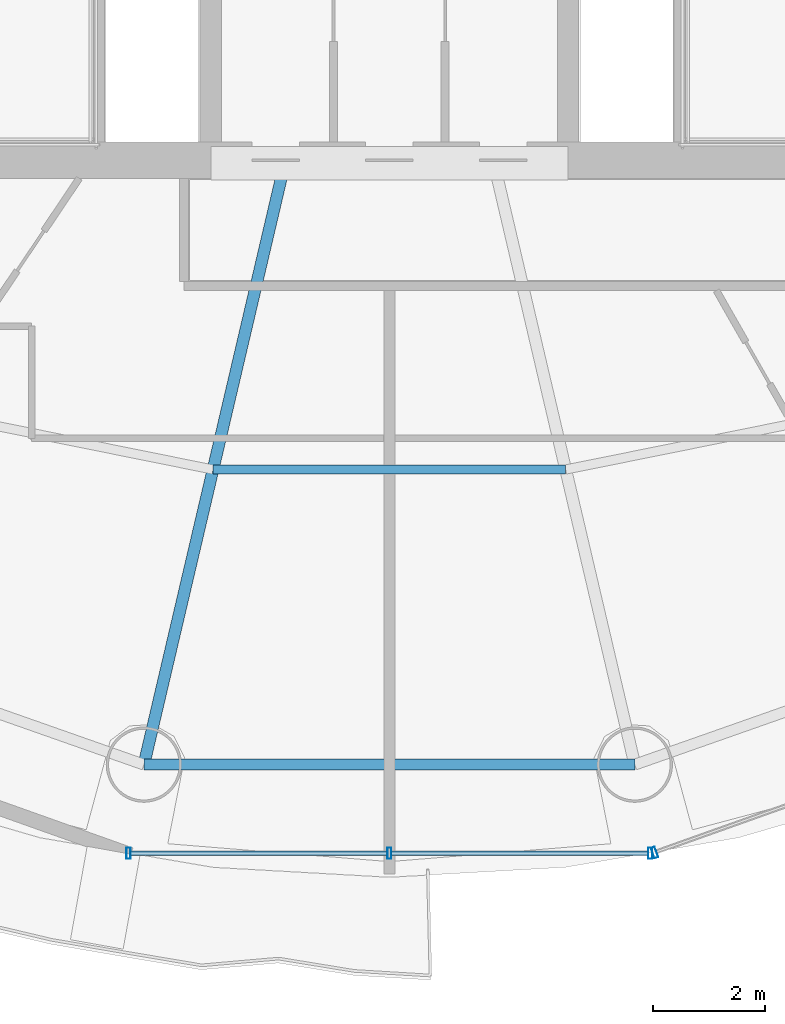
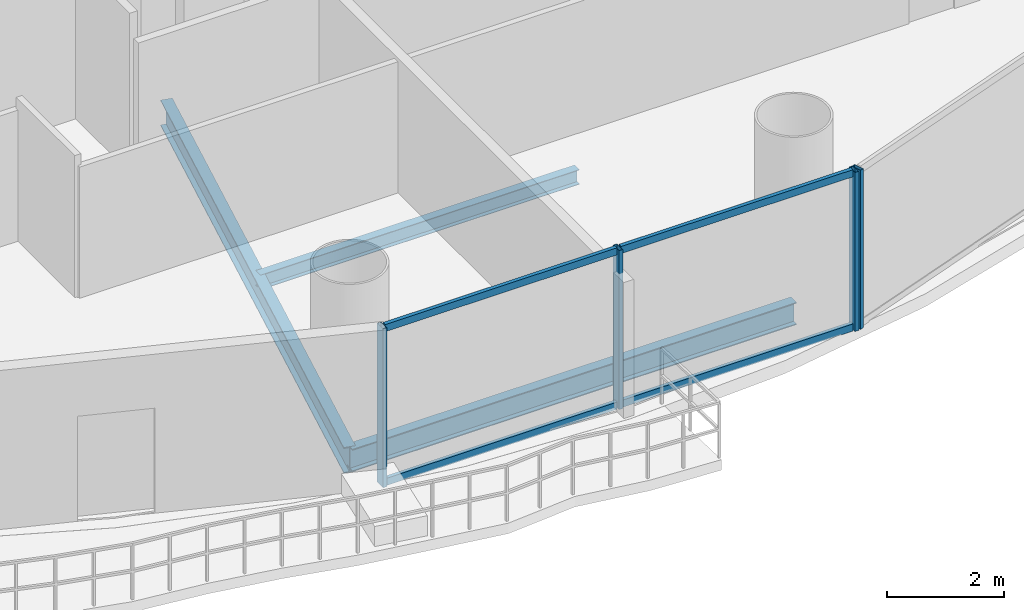
# One storey, part 4 of 26: 8 members, 3 beams, 2 elements without a shape of their own.
"""IFC4 building model written with IfcOpenShell, lengths in metres."""

from ifc_helpers import new_model, si_unit, direction, frame, origin, origin_2d, place, context, subcontext, project, spatial, hollow_rectangle, i_section, extrude, source, transform, mapped, material, material_profile, profile_set, type_object, element, aggregate, save


model = new_model("IFC4")

# Units and contexts
model_context = context("Model", 3, precision=1e-05, world=origin(), true_north=direction((-0.2419218956, 0.970295726276)))
body_context = subcontext(model_context, "Body", "Model", "MODEL_VIEW")
ifc_project = project(units=[si_unit("LENGTHUNIT", "METRE"), si_unit("AREAUNIT", "SQUARE_METRE"), si_unit("VOLUMEUNIT", "CUBIC_METRE"), si_unit("PLANEANGLEUNIT", "RADIAN"), si_unit("MASSUNIT", "GRAM", prefix="KILO")], contexts=[model_context])

# Site, building, storey
site_placement = place(None, origin())
site = spatial("IfcSite", under=ifc_project, at=site_placement, CompositionType="ELEMENT")
building_placement = place(site_placement, origin())
building = spatial("IfcBuilding", under=site, at=building_placement, Name="Cobrevalo Terracotta Tower", CompositionType="ELEMENT")
storey_placement = place(building_placement, frame((0.0, 0.0, 171.39990234375)))
storey = spatial("IfcBuildingStorey", under=building, at=storey_placement, Name="L45", CompositionType="ELEMENT", Elevation=171.39990234375)

# Beams
ifc_material_1 = material(Name="Steel S355", Category="steel")
ifc_material_profile_1 = material_profile(ifc_material_1, i_section(OverallWidth=0.2109375, OverallDepth=0.5390625, WebThickness=0.01171875, FlangeThickness=0.018798828125, at=origin_2d()), Name="W 530x109")
ifc_profile_set_1 = profile_set([ifc_material_profile_1], Name="Steel S355")
beam_type_1 = type_object("IfcBeamType", Name="Structural Beam W 530x109 (Steel S355)", PredefinedType="BEAM", material=ifc_profile_set_1)
beam_1_placement = place(storey_placement, frame((33.600830078125, 8.01806640625, -0.539306640625), z_axis=(0.228045854186, 0.973650393308, 0.0), x_axis=(-0.973650393308, 0.228045854186, 0.0)))
element("IfcBeam", 1, at=beam_1_placement, inside=storey, type_object=beam_type_1, Name="L45 radial floor girder 12", PredefinedType="BEAM", context=body_context, shape_type="SweptSolid", body=[
    extrude(i_section(OverallWidth=0.2109375, OverallDepth=0.5390625, WebThickness=0.01171875, FlangeThickness=0.018798828125, at=origin_2d()), origin(), (0.0, 0.0, 1.0), 10.863037109375),
])
ifc_material_profile_2 = material_profile(ifc_material_1, i_section(OverallWidth=0.1650390625, OverallDepth=0.31005859375, WebThickness=0.005859375, FlangeThickness=0.009765625, at=origin_2d()), Name="W 310x38.7")
ifc_profile_set_2 = profile_set([ifc_material_profile_2], Name="Steel S355")
beam_type_2 = type_object("IfcBeamType", Name="Structural Joist W 310x38.7 (Steel S355)", PredefinedType="JOIST", material=ifc_profile_set_2)
beam_2_placement = place(storey_placement, frame((34.83935546875, 13.306396484375, -0.4248046875), z_axis=(1.0, 0.0, 0.0), x_axis=(0.0, 1.0, 0.0)))
element("IfcBeam", 2, at=beam_2_placement, inside=storey, type_object=beam_type_2, Name="L45 circumferential secondary floor joist 12", PredefinedType="JOIST", context=body_context, shape_type="SweptSolid", body=[
    extrude(i_section(OverallWidth=0.1650390625, OverallDepth=0.31005859375, WebThickness=0.005859375, FlangeThickness=0.009765625, at=origin_2d()), origin(), (0.0, 0.0, 1.0), 6.3212890625),
])
ifc_material_profile_3 = material_profile(ifc_material_1, i_section(OverallWidth=0.194091796875, OverallDepth=0.468994140625, WebThickness=0.011474609375, FlangeThickness=0.0205078125, at=origin_2d()), Name="W 460x106")
ifc_profile_set_3 = profile_set([ifc_material_profile_3], Name="Steel S355")
beam_type_3 = type_object("IfcBeamType", Name="Structural Spandrel W 460x106 (Steel S355)", PredefinedType="SPANDREL", material=ifc_profile_set_3)
beam_3_placement = place(storey_placement, frame((33.600830078125, 8.01806640625, -0.50439453125), z_axis=(1.0, 0.0, 0.0), x_axis=(0.0, 1.0, 0.0)))
element("IfcBeam", 3, at=beam_3_placement, inside=storey, type_object=beam_type_3, Name="L45 perimeter ring spandrel 12", PredefinedType="SPANDREL", context=body_context, shape_type="SweptSolid", body=[
    extrude(i_section(OverallWidth=0.194091796875, OverallDepth=0.468994140625, WebThickness=0.011474609375, FlangeThickness=0.0205078125, at=origin_2d()), origin(), (0.0, 0.0, 1.0), 8.79833984375),
])

# Curtain wall, members
ifc_material_2 = material(Name="Anodized aluminium", Category="aluminium")
curtain_wall_type = type_object("IfcCurtainWallType", Name="Mid-tower high-wind unitised curtain wall CW-U2", PredefinedType="NOTDEFINED", material=ifc_material_2)
curtain_wall_1_placement = place(storey_placement, origin())
curtain_wall_1 = element("IfcCurtainWall", 4, at=curtain_wall_1_placement, inside=storey, type_object=curtain_wall_type, Name="L45 curtain wall CW-L45-S12", PredefinedType="NOTDEFINED")
ifc_material_profile_4 = material_profile(ifc_material_2, hollow_rectangle(XDim=0.074951171875, YDim=0.199951171875, WallThickness=0.0048828125, at=origin_2d()), Name="CWM 75x200")
ifc_profile_set_4 = profile_set([ifc_material_profile_4], Name="Anodized aluminium")
member_type_1 = type_object("IfcMemberType", Name="Lower/mid tower unitised mullion 75x200", PredefinedType="MULLION", material=ifc_profile_set_4)
shared_shape_1 = source(origin(), body_context, "Body", "SweptSolid", [
    extrude(hollow_rectangle(XDim=0.074951171875, YDim=0.199951171875, WallThickness=0.0048828125, at=origin_2d()), origin(), (0.0, 0.0, 1.0), 3.330078125),
])
member_1_placement = place(storey_placement, frame((33.32470703125, 6.42919921875, 0.0), z_axis=(0.0, 0.0, 1.0), x_axis=(1.0, 0.0, 0.0)))
member_1 = element("IfcMember", 5, at=member_1_placement, type_object=member_type_1, Name="CW-L45-S12 vertical mullion 01", PredefinedType="MULLION", context=body_context, shape_type="MappedRepresentation", body=[
    mapped(shared_shape_1, transform((0.0, 0.0, 0.0), scale=1.0)),
])
member_2_placement = place(storey_placement, frame((38.0, 6.42919921875, 0.0), z_axis=(0.0, 0.0, 1.0), x_axis=(1.0, 0.0, 0.0)))
member_2 = element("IfcMember", 6, at=member_2_placement, type_object=member_type_1, Name="CW-L45-S12 vertical mullion 02", PredefinedType="MULLION", context=body_context, shape_type="MappedRepresentation", body=[
    mapped(shared_shape_1, transform((0.0, 0.0, 0.0), scale=1.0)),
])
member_3_placement = place(storey_placement, frame((42.67529296875, 6.42919921875, 0.0), z_axis=(0.0, 0.0, 1.0), x_axis=(1.0, 0.0, 0.0)))
member_3 = element("IfcMember", 7, at=member_3_placement, type_object=member_type_1, Name="CW-L45-S12 vertical mullion 03", PredefinedType="MULLION", context=body_context, shape_type="MappedRepresentation", body=[
    mapped(shared_shape_1, transform((0.0, 0.0, 0.0), scale=1.0)),
])

# Curtain wall, member
curtain_wall_2_placement = place(storey_placement, origin())
curtain_wall_2 = element("IfcCurtainWall", 8, at=curtain_wall_2_placement, inside=storey, type_object=curtain_wall_type, Name="L45 curtain wall CW-L45-S13", PredefinedType="NOTDEFINED")
member_4_placement = place(storey_placement, frame((42.7529296875, 6.4423828125, 0.0), z_axis=(0.0, 0.0, 1.0), x_axis=(0.942098428897, 0.335336473217, 0.0)))
member_4 = element("IfcMember", 9, at=member_4_placement, type_object=member_type_1, Name="CW-L45-S13 vertical mullion 01", PredefinedType="MULLION", context=body_context, shape_type="MappedRepresentation", body=[
    mapped(shared_shape_1, transform((0.0, 0.0, 0.0), scale=1.0)),
])
aggregate(curtain_wall_2, [member_4])

# Member
ifc_material_profile_5 = material_profile(ifc_material_2, hollow_rectangle(XDim=0.074951171875, YDim=0.14990234375, WallThickness=0.00439453125, at=origin_2d()), Name="CWT 75x150")
ifc_profile_set_5 = profile_set([ifc_material_profile_5], Name="Anodized aluminium")
member_type_2 = type_object("IfcMemberType", Name="Tower unitised aluminium transom 75x150", PredefinedType="USERDEFINED", material=ifc_profile_set_5)
shared_shape_2 = source(origin(), body_context, "Body", "SweptSolid", [
    extrude(hollow_rectangle(XDim=0.074951171875, YDim=0.14990234375, WallThickness=0.00439453125, at=origin_2d()), origin(), (0.0, 0.0, 1.0), 4.59521484375),
])
member_5_placement = place(storey_placement, frame((33.36474609375, 6.42919921875, 0.050048828125), z_axis=(1.0, 0.0, 0.0), x_axis=(0.0, 1.0, 0.0)))
member_5 = element("IfcMember", 10, at=member_5_placement, type_object=member_type_2, Name="CW-L45-S12 transom B01-T1", ObjectType="TRANSOM", PredefinedType="USERDEFINED", context=body_context, shape_type="MappedRepresentation", body=[
    mapped(shared_shape_2, transform((0.0, 0.0, 0.0), scale=1.0)),
])

member_6_placement = place(storey_placement, frame((33.36474609375, 6.42919921875, 3.280029296875), z_axis=(1.0, 0.0, 0.0), x_axis=(0.0, 1.0, 0.0)))
member_6 = element("IfcMember", 11, at=member_6_placement, type_object=member_type_2, Name="CW-L45-S12 transom B01-T2", ObjectType="TRANSOM", PredefinedType="USERDEFINED", context=body_context, shape_type="MappedRepresentation", body=[
    mapped(shared_shape_2, transform((0.0, 0.0, 0.0), scale=1.0)),
])

member_7_placement = place(storey_placement, frame((38.0400390625, 6.42919921875, 0.050048828125), z_axis=(1.0, 0.0, 0.0), x_axis=(0.0, 1.0, 0.0)))
member_7 = element("IfcMember", 12, at=member_7_placement, type_object=member_type_2, Name="CW-L45-S12 transom B02-T1", ObjectType="TRANSOM", PredefinedType="USERDEFINED", context=body_context, shape_type="MappedRepresentation", body=[
    mapped(shared_shape_2, transform((0.0, 0.0, 0.0), scale=1.0)),
])

member_8_placement = place(storey_placement, frame((38.0400390625, 6.42919921875, 3.280029296875), z_axis=(1.0, 0.0, 0.0), x_axis=(0.0, 1.0, 0.0)))
member_8 = element("IfcMember", 13, at=member_8_placement, type_object=member_type_2, Name="CW-L45-S12 transom B02-T2", ObjectType="TRANSOM", PredefinedType="USERDEFINED", context=body_context, shape_type="MappedRepresentation", body=[
    mapped(shared_shape_2, transform((0.0, 0.0, 0.0), scale=1.0)),
])

aggregate(curtain_wall_1, [member_1, member_2, member_3, member_5, member_6, member_7, member_8])

save(model, "model.ifc")
